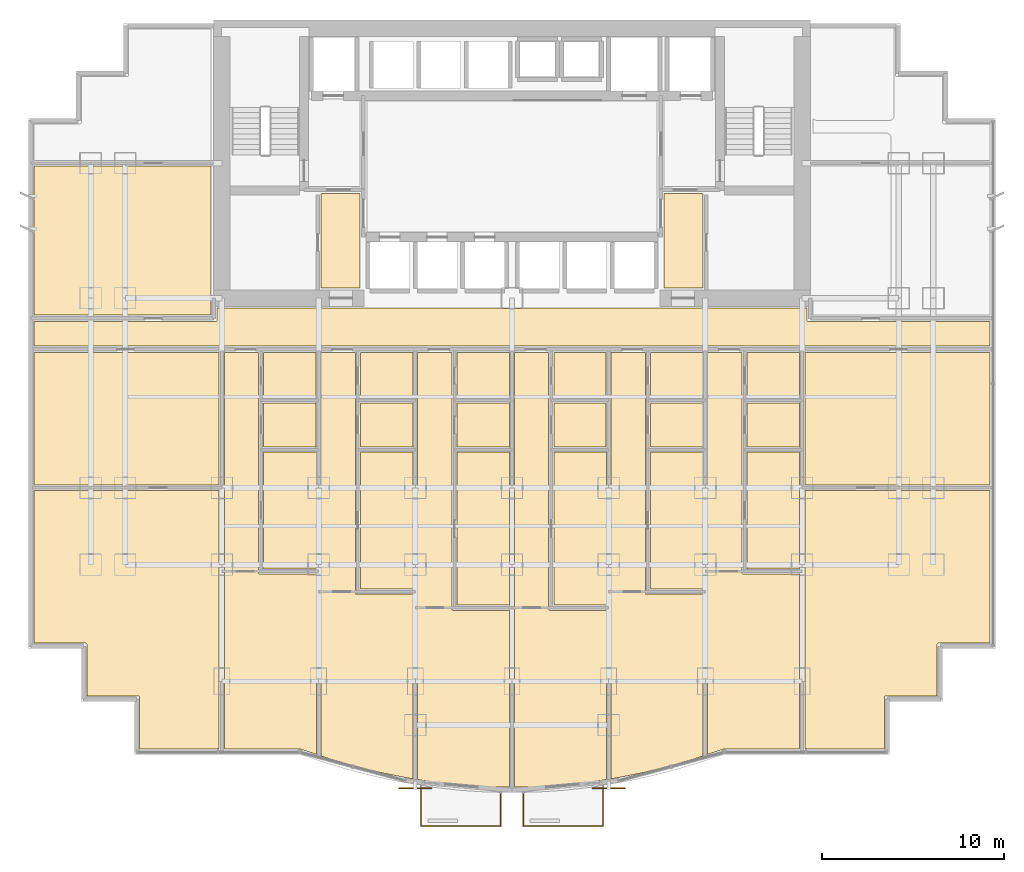
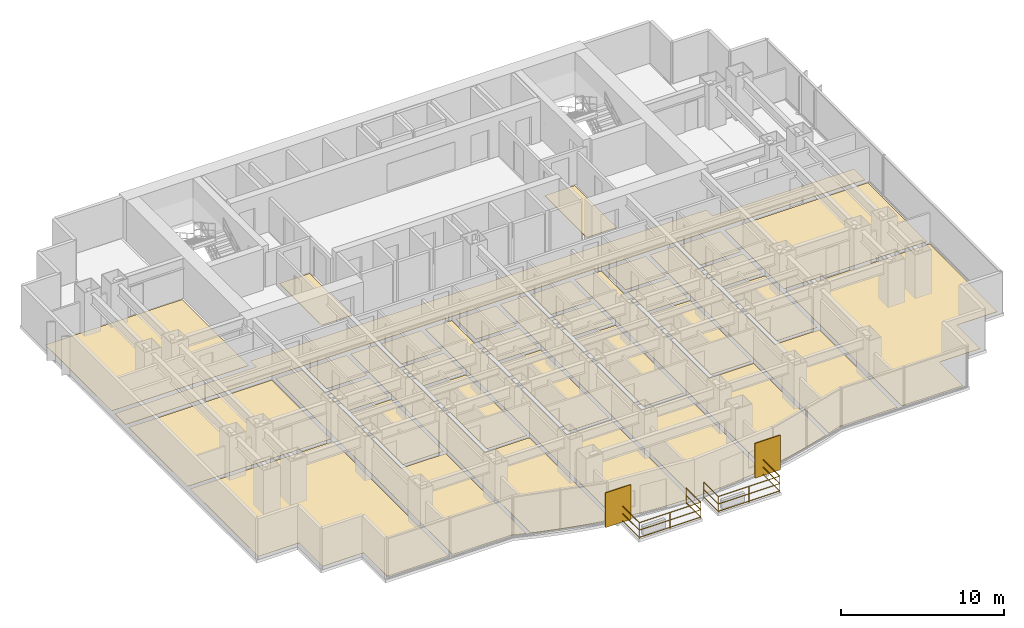
# One storey, part 11 of 12: 32 coverings, 2 railings, 2 shading devices.
"""IFC4 building model written with IfcOpenShell, lengths in metres."""

from ifc_helpers import new_model, si_unit, direction, frame, origin, origin_2d, place, context, subcontext, project, spatial, polyline, rectangle, circle, outline, extrude, source, transform, mapped, material, layer, layer_set, type_object, element, save


model = new_model("IFC4")

# Units and contexts
model_context = context("Model", 3, precision=1e-05, world=origin(), true_north=direction((0.0, 1.0)))
body_context = subcontext(model_context, "Body", "Model", "MODEL_VIEW")
ifc_project = project(units=[si_unit("LENGTHUNIT", "METRE"), si_unit("AREAUNIT", "SQUARE_METRE"), si_unit("VOLUMEUNIT", "CUBIC_METRE"), si_unit("PLANEANGLEUNIT", "RADIAN"), si_unit("MASSUNIT", "GRAM", prefix="KILO")], contexts=[model_context])

# Site, building, storey
site_placement = place(None, origin())
site = spatial("IfcSite", under=ifc_project, at=site_placement, CompositionType="ELEMENT")
building_placement = place(site_placement, origin())
building = spatial("IfcBuilding", under=site, at=building_placement, Name="Qianlan Lanfeng Residences", CompositionType="ELEMENT")
storey_placement = place(building_placement, frame((0.0, 0.0, 27.5)))
storey = spatial("IfcBuildingStorey", under=building, at=storey_placement, Name="L06", CompositionType="ELEMENT", Elevation=27.5)

# Coverings
ifc_material_1 = material(Name="Honed Taitung Granite Stone Flooring", Category="masonry")
ifc_layer_1 = layer(ifc_material_1, 0.030029296875)
ifc_layer_set_1 = layer_set([ifc_layer_1], Name="Honed Taitung Granite Stone Flooring")
covering_type_1 = type_object("IfcCoveringType", Name="FLR-STN-30", PredefinedType="FLOORING", material=ifc_layer_set_1)
covering_1_placement = place(storey_placement, origin())
element("IfcCovering", 1, at=covering_1_placement, inside=storey, type_object=covering_type_1, Name="L06 Residential Corridor Floor Finish", PredefinedType="FLOORING", context=body_context, shape_type="SweptSolid", body=[
    extrude(outline(polyline([(0.2900390625, 22.580078125), (52.7099609375, 22.580078125), (52.7099609375, 23.919921875), (42.739990234375, 23.919921875), (42.73291015625, 23.919921875), (42.72607421875, 23.9208984375), (42.719970703125, 23.923095703125), (42.712890625, 23.925048828125), (42.70703125, 23.927978515625), (42.700927734375, 23.931884765625), (42.696044921875, 23.93603515625), (42.69091796875, 23.94091796875), (42.68603515625, 23.946044921875), (42.681884765625, 23.950927734375), (42.677978515625, 23.95703125), (42.675048828125, 23.962890625), (42.673095703125, 23.969970703125), (42.6708984375, 23.97607421875), (42.669921875, 23.98291015625), (42.669921875, 23.989990234375), (42.669921875, 24.64990234375), (10.330078125, 24.64990234375), (10.330078125, 23.989990234375), (10.330078125, 23.98291015625), (10.3291015625, 23.97607421875), (10.326904296875, 23.969970703125), (10.324951171875, 23.962890625), (10.322021484375, 23.95703125), (10.318115234375, 23.950927734375), (10.31396484375, 23.946044921875), (10.30908203125, 23.94091796875), (10.303955078125, 23.93603515625), (10.299072265625, 23.931884765625), (10.29296875, 23.927978515625), (10.287109375, 23.925048828125), (10.280029296875, 23.923095703125), (10.27392578125, 23.9208984375), (10.26708984375, 23.919921875), (10.260009765625, 23.919921875), (0.2900390625, 23.919921875), (0.2900390625, 22.580078125)])), origin(), (0.0, 0.0, 1.0), 0.030029296875),
])
covering_2_placement = place(storey_placement, origin())
element("IfcCovering", 2, at=covering_2_placement, inside=storey, type_object=covering_type_1, Name="L06 Lift Lobby Floor Finish", PredefinedType="FLOORING", context=body_context, shape_type="SweptSolid", body=[
    extrude(outline(polyline([(16.030029296875, 25.760009765625), (18.169921875, 25.760009765625), (18.169921875, 30.949951171875), (16.030029296875, 30.949951171875), (16.030029296875, 25.760009765625)])), origin(), (0.0, 0.0, 1.0), 0.030029296875),
])
covering_3_placement = place(storey_placement, origin())
element("IfcCovering", 3, at=covering_3_placement, inside=storey, type_object=covering_type_1, Name="L06 Lift Lobby Floor Finish", PredefinedType="FLOORING", context=body_context, shape_type="SweptSolid", body=[
    extrude(outline(polyline([(34.830078125, 25.760009765625), (36.969970703125, 25.760009765625), (36.969970703125, 30.949951171875), (34.830078125, 30.949951171875), (34.830078125, 25.760009765625)])), origin(), (0.0, 0.0, 1.0), 0.030029296875),
])
ifc_material_2 = material(Name="Slip-Resistant Porcelain Tile Flooring")
ifc_layer_2 = layer(ifc_material_2, 0.02001953125)
ifc_layer_set_2 = layer_set([ifc_layer_2], Name="Slip-Resistant Porcelain Tile Flooring")
covering_type_2 = type_object("IfcCoveringType", Name="FLR-TIL-20", PredefinedType="FLOORING", material=ifc_layer_set_2)
covering_4_placement = place(storey_placement, origin())
element("IfcCovering", 4, at=covering_4_placement, inside=storey, type_object=covering_type_2, Name="L06 Kitchen Floor Finish", PredefinedType="FLOORING", context=body_context, shape_type="SweptSolid", body=[
    extrude(outline(polyline([(12.889892578125, 17.0400390625), (15.760009765625, 17.0400390625), (15.760009765625, 19.4599609375), (12.889892578125, 19.4599609375), (12.889892578125, 17.0400390625)])), origin(), (0.0, 0.0, 1.0), 0.02001953125),
])
covering_5_placement = place(storey_placement, origin())
element("IfcCovering", 5, at=covering_5_placement, inside=storey, type_object=covering_type_2, Name="L06 Bathroom Floor Finish", PredefinedType="FLOORING", context=body_context, shape_type="SweptSolid", body=[
    extrude(outline(polyline([(12.889892578125, 19.739990234375), (15.760009765625, 19.739990234375), (15.760009765625, 22.22998046875), (12.889892578125, 22.22998046875), (12.889892578125, 19.739990234375)])), origin(), (0.0, 0.0, 1.0), 0.02001953125),
])
covering_6_placement = place(storey_placement, origin())
element("IfcCovering", 6, at=covering_6_placement, inside=storey, type_object=covering_type_2, Name="L06 Kitchen Floor Finish", PredefinedType="FLOORING", context=body_context, shape_type="SweptSolid", body=[
    extrude(outline(polyline([(18.18994140625, 17.0400390625), (21.06005859375, 17.0400390625), (21.06005859375, 19.4599609375), (18.18994140625, 19.4599609375), (18.18994140625, 17.0400390625)])), origin(), (0.0, 0.0, 1.0), 0.02001953125),
])
covering_7_placement = place(storey_placement, origin())
element("IfcCovering", 7, at=covering_7_placement, inside=storey, type_object=covering_type_2, Name="L06 Bathroom Floor Finish", PredefinedType="FLOORING", context=body_context, shape_type="SweptSolid", body=[
    extrude(outline(polyline([(18.18994140625, 19.739990234375), (21.06005859375, 19.739990234375), (21.06005859375, 22.22998046875), (18.18994140625, 22.22998046875), (18.18994140625, 19.739990234375)])), origin(), (0.0, 0.0, 1.0), 0.02001953125),
])
covering_8_placement = place(storey_placement, origin())
element("IfcCovering", 8, at=covering_8_placement, inside=storey, type_object=covering_type_2, Name="L06 Kitchen Floor Finish", PredefinedType="FLOORING", context=body_context, shape_type="SweptSolid", body=[
    extrude(outline(polyline([(23.489990234375, 17.0400390625), (26.360107421875, 17.0400390625), (26.360107421875, 19.4599609375), (23.489990234375, 19.4599609375), (23.489990234375, 17.0400390625)])), origin(), (0.0, 0.0, 1.0), 0.02001953125),
])
covering_9_placement = place(storey_placement, origin())
element("IfcCovering", 9, at=covering_9_placement, inside=storey, type_object=covering_type_2, Name="L06 Bathroom Floor Finish", PredefinedType="FLOORING", context=body_context, shape_type="SweptSolid", body=[
    extrude(outline(polyline([(23.489990234375, 19.739990234375), (26.360107421875, 19.739990234375), (26.360107421875, 22.22998046875), (23.489990234375, 22.22998046875), (23.489990234375, 19.739990234375)])), origin(), (0.0, 0.0, 1.0), 0.02001953125),
])
covering_10_placement = place(storey_placement, origin())
element("IfcCovering", 10, at=covering_10_placement, inside=storey, type_object=covering_type_2, Name="L06 Kitchen Floor Finish", PredefinedType="FLOORING", context=body_context, shape_type="SweptSolid", body=[
    extrude(outline(polyline([(28.7900390625, 17.0400390625), (31.659912109375, 17.0400390625), (31.659912109375, 19.4599609375), (28.7900390625, 19.4599609375), (28.7900390625, 17.0400390625)])), origin(), (0.0, 0.0, 1.0), 0.02001953125),
])
covering_11_placement = place(storey_placement, origin())
element("IfcCovering", 11, at=covering_11_placement, inside=storey, type_object=covering_type_2, Name="L06 Bathroom Floor Finish", PredefinedType="FLOORING", context=body_context, shape_type="SweptSolid", body=[
    extrude(outline(polyline([(28.7900390625, 19.739990234375), (31.659912109375, 19.739990234375), (31.659912109375, 22.22998046875), (28.7900390625, 22.22998046875), (28.7900390625, 19.739990234375)])), origin(), (0.0, 0.0, 1.0), 0.02001953125),
])
covering_12_placement = place(storey_placement, origin())
element("IfcCovering", 12, at=covering_12_placement, inside=storey, type_object=covering_type_2, Name="L06 Kitchen Floor Finish", PredefinedType="FLOORING", context=body_context, shape_type="SweptSolid", body=[
    extrude(outline(polyline([(34.090087890625, 17.0400390625), (36.9599609375, 17.0400390625), (36.9599609375, 19.4599609375), (34.090087890625, 19.4599609375), (34.090087890625, 17.0400390625)])), origin(), (0.0, 0.0, 1.0), 0.02001953125),
])
covering_13_placement = place(storey_placement, origin())
element("IfcCovering", 13, at=covering_13_placement, inside=storey, type_object=covering_type_2, Name="L06 Bathroom Floor Finish", PredefinedType="FLOORING", context=body_context, shape_type="SweptSolid", body=[
    extrude(outline(polyline([(34.090087890625, 19.739990234375), (36.9599609375, 19.739990234375), (36.9599609375, 22.22998046875), (34.090087890625, 22.22998046875), (34.090087890625, 19.739990234375)])), origin(), (0.0, 0.0, 1.0), 0.02001953125),
])
covering_14_placement = place(storey_placement, origin())
element("IfcCovering", 14, at=covering_14_placement, inside=storey, type_object=covering_type_2, Name="L06 Kitchen Floor Finish", PredefinedType="FLOORING", context=body_context, shape_type="SweptSolid", body=[
    extrude(outline(polyline([(39.389892578125, 17.0400390625), (42.260009765625, 17.0400390625), (42.260009765625, 19.4599609375), (39.389892578125, 19.4599609375), (39.389892578125, 17.0400390625)])), origin(), (0.0, 0.0, 1.0), 0.02001953125),
])
covering_15_placement = place(storey_placement, origin())
element("IfcCovering", 15, at=covering_15_placement, inside=storey, type_object=covering_type_2, Name="L06 Bathroom Floor Finish", PredefinedType="FLOORING", context=body_context, shape_type="SweptSolid", body=[
    extrude(outline(polyline([(39.389892578125, 19.739990234375), (42.260009765625, 19.739990234375), (42.260009765625, 22.22998046875), (39.389892578125, 22.22998046875), (39.389892578125, 19.739990234375)])), origin(), (0.0, 0.0, 1.0), 0.02001953125),
])
ifc_material_3 = material(Name="Engineered Smoked Oak Timber Flooring", Category="wood")
ifc_layer_3 = layer(ifc_material_3, 0.02197265625)
ifc_layer_set_3 = layer_set([ifc_layer_3], Name="Engineered Smoked Oak Timber Flooring")
covering_type_3 = type_object("IfcCoveringType", Name="FLR-TIM-22", PredefinedType="FLOORING", material=ifc_layer_set_3)
covering_16_placement = place(storey_placement, origin())
element("IfcCovering", 16, at=covering_16_placement, inside=storey, type_object=covering_type_3, Name="L06 Studio Living Room Floor Finish", PredefinedType="FLOORING", context=body_context, shape_type="SweptSolid", body=[
    extrude(outline(polyline([(15.77001953125, 0.195068359375), (15.77001953125, 10.080078125), (12.679931640625, 10.080078125), (12.673095703125, 10.080078125), (12.666015625, 10.0810546875), (12.659912109375, 10.0830078125), (12.653076171875, 10.0849609375), (12.64697265625, 10.087890625), (12.64111328125, 10.092041015625), (12.635986328125, 10.095947265625), (12.631103515625, 10.10107421875), (12.6259765625, 10.10595703125), (12.6220703125, 10.111083984375), (12.617919921875, 10.116943359375), (12.614990234375, 10.123046875), (12.613037109375, 10.1298828125), (12.611083984375, 10.135986328125), (12.610107421875, 10.14306640625), (12.610107421875, 10.14990234375), (12.610107421875, 22.22998046875), (10.72998046875, 22.22998046875), (10.72998046875, 0.489990234375), (14.885986328125, 0.489990234375), (14.89404296875, 0.489990234375), (14.90087890625, 0.488037109375), (14.908935546875, 0.486083984375), (15.77001953125, 0.195068359375)])), origin(), (0.0, 0.0, 1.0), 0.02197265625),
])
covering_17_placement = place(storey_placement, origin())
element("IfcCovering", 17, at=covering_17_placement, inside=storey, type_object=covering_type_3, Name="L06 Villa Family Sitting Room Floor Finish", PredefinedType="FLOORING", context=body_context, shape_type="SweptSolid", body=[
    extrude(outline(polyline([(12.889892578125, 16.760009765625), (12.889892578125, 10.360107421875), (15.77001953125, 10.360107421875), (15.77001953125, 16.760009765625), (12.889892578125, 16.760009765625)])), origin(), (0.0, 0.0, 1.0), 0.02197265625),
])
covering_18_placement = place(storey_placement, origin())
element("IfcCovering", 18, at=covering_18_placement, inside=storey, type_object=covering_type_3, Name="L06 Studio Living Room Floor Finish", PredefinedType="FLOORING", context=body_context, shape_type="SweptSolid", body=[
    extrude(outline(polyline([(21.070068359375, -1.14404296875), (21.070068359375, 8.971923828125), (17.97998046875, 8.971923828125), (17.972900390625, 8.971923828125), (17.966064453125, 8.972900390625), (17.9599609375, 8.97509765625), (17.952880859375, 8.97705078125), (17.947021484375, 8.97998046875), (17.94091796875, 8.98388671875), (17.93603515625, 8.988037109375), (17.930908203125, 8.992919921875), (17.926025390625, 8.998046875), (17.922119140625, 9.0029296875), (17.91796875, 9.009033203125), (17.9150390625, 9.014892578125), (17.9130859375, 9.02197265625), (17.910888671875, 9.028076171875), (17.909912109375, 9.034912109375), (17.909912109375, 9.0419921875), (17.909912109375, 22.22998046875), (16.030029296875, 22.22998046875), (16.030029296875, 0.10693359375), (16.39306640625, -0.014892578125), (17.837890625, -0.43896484375), (19.282958984375, -0.797119140625), (20.72607421875, -1.090087890625), (21.070068359375, -1.14404296875)])), origin(), (0.0, 0.0, 1.0), 0.02197265625),
])
covering_19_placement = place(storey_placement, origin())
element("IfcCovering", 19, at=covering_19_placement, inside=storey, type_object=covering_type_3, Name="L06 Villa Family Sitting Room Floor Finish", PredefinedType="FLOORING", context=body_context, shape_type="SweptSolid", body=[
    extrude(outline(polyline([(18.18994140625, 16.760009765625), (18.18994140625, 9.251953125), (21.070068359375, 9.251953125), (21.070068359375, 16.760009765625), (18.18994140625, 16.760009765625)])), origin(), (0.0, 0.0, 1.0), 0.02197265625),
])
covering_20_placement = place(storey_placement, origin())
element("IfcCovering", 20, at=covering_20_placement, inside=storey, type_object=covering_type_3, Name="L06 Studio Living Room Floor Finish", PredefinedType="FLOORING", context=body_context, shape_type="SweptSolid", body=[
    extrude(outline(polyline([(26.3701171875, -1.60693359375), (26.3701171875, 8.093994140625), (23.280029296875, 8.093994140625), (23.27294921875, 8.093994140625), (23.26611328125, 8.094970703125), (23.260009765625, 8.096923828125), (23.2529296875, 8.09912109375), (23.2470703125, 8.10205078125), (23.240966796875, 8.10595703125), (23.236083984375, 8.110107421875), (23.23095703125, 8.114990234375), (23.22607421875, 8.1201171875), (23.221923828125, 8.125), (23.218017578125, 8.131103515625), (23.215087890625, 8.136962890625), (23.212890625, 8.14404296875), (23.2109375, 8.14990234375), (23.2099609375, 8.156982421875), (23.2099609375, 8.1640625), (23.2099609375, 22.22998046875), (21.330078125, 22.22998046875), (21.330078125, -1.18505859375), (22.169921875, -1.318115234375), (23.613037109375, -1.47998046875), (25.056884765625, -1.576904296875), (26.3701171875, -1.60693359375)])), origin(), (0.0, 0.0, 1.0), 0.02197265625),
])
covering_21_placement = place(storey_placement, origin())
element("IfcCovering", 21, at=covering_21_placement, inside=storey, type_object=covering_type_3, Name="L06 Villa Family Sitting Room Floor Finish", PredefinedType="FLOORING", context=body_context, shape_type="SweptSolid", body=[
    extrude(outline(polyline([(23.489990234375, 16.760009765625), (23.489990234375, 8.3740234375), (26.3701171875, 8.3740234375), (26.3701171875, 16.760009765625), (23.489990234375, 16.760009765625)])), origin(), (0.0, 0.0, 1.0), 0.02197265625),
])
covering_22_placement = place(storey_placement, origin())
element("IfcCovering", 22, at=covering_22_placement, inside=storey, type_object=covering_type_3, Name="L06 Studio Living Room Floor Finish", PredefinedType="FLOORING", context=body_context, shape_type="SweptSolid", body=[
    extrude(outline(polyline([(31.669921875, -1.18505859375), (31.669921875, 8.093994140625), (28.580078125, 8.093994140625), (28.572998046875, 8.093994140625), (28.56591796875, 8.094970703125), (28.56005859375, 8.096923828125), (28.552978515625, 8.09912109375), (28.547119140625, 8.10205078125), (28.541015625, 8.10595703125), (28.535888671875, 8.110107421875), (28.531005859375, 8.114990234375), (28.52587890625, 8.1201171875), (28.52197265625, 8.125), (28.51806640625, 8.131103515625), (28.514892578125, 8.136962890625), (28.512939453125, 8.14404296875), (28.510986328125, 8.14990234375), (28.510009765625, 8.156982421875), (28.510009765625, 8.1640625), (28.510009765625, 22.22998046875), (26.6298828125, 22.22998046875), (26.6298828125, -1.60693359375), (27.943115234375, -1.576904296875), (29.385986328125, -1.47998046875), (30.830078125, -1.318115234375), (31.669921875, -1.18505859375)])), origin(), (0.0, 0.0, 1.0), 0.02197265625),
])
covering_23_placement = place(storey_placement, origin())
element("IfcCovering", 23, at=covering_23_placement, inside=storey, type_object=covering_type_3, Name="L06 Villa Family Sitting Room Floor Finish", PredefinedType="FLOORING", context=body_context, shape_type="SweptSolid", body=[
    extrude(outline(polyline([(28.7900390625, 16.760009765625), (28.7900390625, 8.3740234375), (31.669921875, 8.3740234375), (31.669921875, 16.760009765625), (28.7900390625, 16.760009765625)])), origin(), (0.0, 0.0, 1.0), 0.02197265625),
])
covering_24_placement = place(storey_placement, origin())
element("IfcCovering", 24, at=covering_24_placement, inside=storey, type_object=covering_type_3, Name="L06 Studio Living Room Floor Finish", PredefinedType="FLOORING", context=body_context, shape_type="SweptSolid", body=[
    extrude(outline(polyline([(36.969970703125, 0.10693359375), (36.969970703125, 8.972900390625), (33.8798828125, 8.972900390625), (33.873046875, 8.972900390625), (33.865966796875, 8.97412109375), (33.860107421875, 8.97607421875), (33.85302734375, 8.97802734375), (33.846923828125, 8.98095703125), (33.841064453125, 8.985107421875), (33.8359375, 8.989013671875), (33.8310546875, 8.993896484375), (33.825927734375, 8.9990234375), (33.822021484375, 9.00390625), (33.818115234375, 9.010009765625), (33.81494140625, 9.01611328125), (33.81298828125, 9.02294921875), (33.81103515625, 9.029052734375), (33.81005859375, 9.035888671875), (33.81005859375, 9.04296875), (33.81005859375, 22.22998046875), (31.929931640625, 22.22998046875), (31.929931640625, -1.14404296875), (32.27392578125, -1.090087890625), (33.717041015625, -0.797119140625), (35.160888671875, -0.43896484375), (36.60693359375, -0.014892578125), (36.969970703125, 0.10693359375)])), origin(), (0.0, 0.0, 1.0), 0.02197265625),
])
covering_25_placement = place(storey_placement, origin())
element("IfcCovering", 25, at=covering_25_placement, inside=storey, type_object=covering_type_3, Name="L06 Villa Family Sitting Room Floor Finish", PredefinedType="FLOORING", context=body_context, shape_type="SweptSolid", body=[
    extrude(outline(polyline([(34.090087890625, 16.760009765625), (34.090087890625, 9.2529296875), (36.969970703125, 9.2529296875), (36.969970703125, 16.760009765625), (34.090087890625, 16.760009765625)])), origin(), (0.0, 0.0, 1.0), 0.02197265625),
])
covering_26_placement = place(storey_placement, origin())
element("IfcCovering", 26, at=covering_26_placement, inside=storey, type_object=covering_type_3, Name="L06 Studio Living Room Floor Finish", PredefinedType="FLOORING", context=body_context, shape_type="SweptSolid", body=[
    extrude(outline(polyline([(42.27001953125, 0.489990234375), (42.27001953125, 10.080078125), (39.179931640625, 10.080078125), (39.173095703125, 10.080078125), (39.166015625, 10.0810546875), (39.159912109375, 10.0830078125), (39.153076171875, 10.0849609375), (39.14697265625, 10.087890625), (39.14111328125, 10.092041015625), (39.135986328125, 10.095947265625), (39.131103515625, 10.10107421875), (39.1259765625, 10.10595703125), (39.1220703125, 10.111083984375), (39.117919921875, 10.116943359375), (39.114990234375, 10.123046875), (39.113037109375, 10.1298828125), (39.111083984375, 10.135986328125), (39.110107421875, 10.14306640625), (39.110107421875, 10.14990234375), (39.110107421875, 22.22998046875), (37.22998046875, 22.22998046875), (37.22998046875, 0.195068359375), (38.091064453125, 0.486083984375), (38.09912109375, 0.488037109375), (38.10595703125, 0.489990234375), (38.114013671875, 0.489990234375), (42.27001953125, 0.489990234375)])), origin(), (0.0, 0.0, 1.0), 0.02197265625),
])
covering_27_placement = place(storey_placement, origin())
element("IfcCovering", 27, at=covering_27_placement, inside=storey, type_object=covering_type_3, Name="L06 Villa Family Sitting Room Floor Finish", PredefinedType="FLOORING", context=body_context, shape_type="SweptSolid", body=[
    extrude(outline(polyline([(39.389892578125, 16.760009765625), (39.389892578125, 10.360107421875), (42.27001953125, 10.360107421875), (42.27001953125, 16.760009765625), (39.389892578125, 16.760009765625)])), origin(), (0.0, 0.0, 1.0), 0.02197265625),
])
covering_28_placement = place(storey_placement, origin())
element("IfcCovering", 28, at=covering_28_placement, inside=storey, type_object=covering_type_3, Name="L06 Sunroom Floor Finish", PredefinedType="FLOORING", context=body_context, shape_type="SweptSolid", body=[
    extrude(outline(polyline([(10.43994140625, 14.64990234375), (0.2900390625, 14.64990234375), (0.2900390625, 6.2900390625), (3.1201171875, 6.2900390625), (3.126953125, 6.2900390625), (3.134033203125, 6.2890625), (3.139892578125, 6.287109375), (3.14697265625, 6.284912109375), (3.153076171875, 6.281982421875), (3.158935546875, 6.278076171875), (3.1640625, 6.27392578125), (3.1689453125, 6.26904296875), (3.174072265625, 6.263916015625), (3.177978515625, 6.259033203125), (3.181884765625, 6.2529296875), (3.18505859375, 6.2470703125), (3.18701171875, 6.239990234375), (3.18896484375, 6.23388671875), (3.18994140625, 6.22705078125), (3.18994140625, 6.219970703125), (3.18994140625, 3.389892578125), (6.02001953125, 3.389892578125), (6.027099609375, 3.389892578125), (6.033935546875, 3.388916015625), (6.0400390625, 3.386962890625), (6.047119140625, 3.385009765625), (6.052978515625, 3.382080078125), (6.05908203125, 3.3779296875), (6.06396484375, 3.3740234375), (6.069091796875, 3.368896484375), (6.073974609375, 3.364013671875), (6.077880859375, 3.35888671875), (6.08203125, 3.35302734375), (6.0849609375, 3.346923828125), (6.0869140625, 3.340087890625), (6.089111328125, 3.333984375), (6.090087890625, 3.326904296875), (6.090087890625, 3.320068359375), (6.090087890625, 0.489990234375), (10.43994140625, 0.489990234375), (10.43994140625, 14.64990234375)])), origin(), (0.0, 0.0, 1.0), 0.02197265625),
])
covering_29_placement = place(storey_placement, origin())
element("IfcCovering", 29, at=covering_29_placement, inside=storey, type_object=covering_type_3, Name="L06 Family Sitting Room Floor Finish", PredefinedType="FLOORING", context=body_context, shape_type="SweptSolid", body=[
    extrude(outline(polyline([(10.43994140625, 22.22998046875), (0.2900390625, 22.22998046875), (0.2900390625, 14.949951171875), (10.43994140625, 14.949951171875), (10.43994140625, 22.22998046875)])), origin(), (0.0, 0.0, 1.0), 0.02197265625),
])
covering_30_placement = place(storey_placement, origin())
element("IfcCovering", 30, at=covering_30_placement, inside=storey, type_object=covering_type_3, Name="L06 Sunroom Floor Finish", PredefinedType="FLOORING", context=body_context, shape_type="SweptSolid", body=[
    extrude(outline(polyline([(52.7099609375, 14.64990234375), (42.56005859375, 14.64990234375), (42.56005859375, 0.489990234375), (46.909912109375, 0.489990234375), (46.909912109375, 3.320068359375), (46.909912109375, 3.326904296875), (46.910888671875, 3.333984375), (46.9130859375, 3.340087890625), (46.9150390625, 3.346923828125), (46.91796875, 3.35302734375), (46.922119140625, 3.35888671875), (46.926025390625, 3.364013671875), (46.930908203125, 3.368896484375), (46.93603515625, 3.3740234375), (46.94091796875, 3.3779296875), (46.947021484375, 3.382080078125), (46.952880859375, 3.385009765625), (46.9599609375, 3.386962890625), (46.966064453125, 3.388916015625), (46.972900390625, 3.389892578125), (46.97998046875, 3.389892578125), (49.81005859375, 3.389892578125), (49.81005859375, 6.219970703125), (49.81005859375, 6.22705078125), (49.81103515625, 6.23388671875), (49.81298828125, 6.239990234375), (49.81494140625, 6.2470703125), (49.818115234375, 6.2529296875), (49.822021484375, 6.259033203125), (49.825927734375, 6.263916015625), (49.8310546875, 6.26904296875), (49.8359375, 6.27392578125), (49.841064453125, 6.278076171875), (49.846923828125, 6.281982421875), (49.85302734375, 6.284912109375), (49.860107421875, 6.287109375), (49.865966796875, 6.2890625), (49.873046875, 6.2900390625), (49.8798828125, 6.2900390625), (52.7099609375, 6.2900390625), (52.7099609375, 14.64990234375)])), origin(), (0.0, 0.0, 1.0), 0.02197265625),
])
covering_31_placement = place(storey_placement, origin())
element("IfcCovering", 31, at=covering_31_placement, inside=storey, type_object=covering_type_3, Name="L06 Private Study Floor Finish", PredefinedType="FLOORING", context=body_context, shape_type="SweptSolid", body=[
    extrude(outline(polyline([(52.7099609375, 22.22998046875), (42.56005859375, 22.22998046875), (42.56005859375, 14.949951171875), (52.7099609375, 14.949951171875), (52.7099609375, 22.22998046875)])), origin(), (0.0, 0.0, 1.0), 0.02197265625),
])
covering_32_placement = place(storey_placement, origin())
element("IfcCovering", 32, at=covering_32_placement, inside=storey, type_object=covering_type_3, Name="L06 Co-Working Business Suite Floor Finish", PredefinedType="FLOORING", context=body_context, shape_type="SweptSolid", body=[
    extrude(outline(polyline([(10.0, 32.449951171875), (0.2900390625, 32.449951171875), (0.2900390625, 24.280029296875), (10.0, 24.280029296875), (10.0, 32.449951171875)])), origin(), (0.0, 0.0, 1.0), 0.02197265625),
])

# Railings
ifc_material_4 = material(Name="Anodised Bronze Aluminium and Laminated Glass Guard Balustrade", Category="aluminium")
railing_type = type_object("IfcRailingType", Name="GR-EXT-1220", PredefinedType="BALUSTRADE", material=ifc_material_4)
railing_1_placement = place(storey_placement, frame((25.8798828125, -1.9560546875, 0.0)))
element("IfcRailing", 33, at=railing_1_placement, inside=storey, type_object=railing_type, Name="L06 Terrace Safety Guard GR-L06-SB-W", PredefinedType="BALUSTRADE", context=body_context, shape_type="SweptSolid", body=[
    extrude(circle(Radius=0.02490234375, at=origin_2d()), frame((0.0, 0.0, 0.0849609375), z_axis=(0.0, -1.0, 0.0), x_axis=(1.0, 0.0, 0.0)), (0.0, 0.0, 1.0), 1.77392578125),
    extrude(circle(Radius=0.02490234375, at=origin_2d()), frame((0.0, 0.0, 0.63427734375), z_axis=(0.0, -1.0, 0.0), x_axis=(1.0, 0.0, 0.0)), (0.0, 0.0, 1.0), 1.77392578125),
    extrude(circle(Radius=0.02490234375, at=origin_2d()), frame((0.0, 0.0, 1.19482421875), z_axis=(0.0, -1.0, 0.0), x_axis=(1.0, 0.0, 0.0)), (0.0, 0.0, 1.0), 1.77392578125),
    extrude(circle(Radius=0.02490234375, at=origin_2d()), frame((0.0, -1.77392578125, 0.0849609375), z_axis=(-1.0, 0.0, 0.0), x_axis=(0.0, -1.0, 0.0)), (0.0, 0.0, 1.0), 4.35986328125),
    extrude(circle(Radius=0.02490234375, at=origin_2d()), frame((0.0, -1.77392578125, 0.63427734375), z_axis=(-1.0, 0.0, 0.0), x_axis=(0.0, -1.0, 0.0)), (0.0, 0.0, 1.0), 4.35986328125),
    extrude(circle(Radius=0.02490234375, at=origin_2d()), frame((0.0, -1.77392578125, 1.19482421875), z_axis=(-1.0, 0.0, 0.0), x_axis=(0.0, -1.0, 0.0)), (0.0, 0.0, 1.0), 4.35986328125),
    extrude(circle(Radius=0.02490234375, at=origin_2d()), frame((-4.35986328125, -1.77392578125, 0.0849609375), z_axis=(0.0, 1.0, 0.0), x_axis=(-1.0, 0.0, 0.0)), (0.0, 0.0, 1.0), 2.15087890625),
    extrude(circle(Radius=0.02490234375, at=origin_2d()), frame((-4.35986328125, -1.77392578125, 0.63427734375), z_axis=(0.0, 1.0, 0.0), x_axis=(-1.0, 0.0, 0.0)), (0.0, 0.0, 1.0), 2.15087890625),
    extrude(circle(Radius=0.02490234375, at=origin_2d()), frame((-4.35986328125, -1.77392578125, 1.19482421875), z_axis=(0.0, 1.0, 0.0), x_axis=(-1.0, 0.0, 0.0)), (0.0, 0.0, 1.0), 2.15087890625),
    extrude(circle(Radius=0.02099609375, at=origin_2d()), origin(), (0.0, 0.0, 1.0), 1.169921875),
    extrude(circle(Radius=0.02099609375, at=origin_2d()), frame((0.0, -1.77392578125, 0.0)), (0.0, 0.0, 1.0), 1.169921875),
    extrude(circle(Radius=0.02099609375, at=origin_2d()), frame((-2.179931640625, -1.77392578125, 0.0)), (0.0, 0.0, 1.0), 1.169921875),
    extrude(circle(Radius=0.02099609375, at=origin_2d()), frame((-4.35986328125, -1.77392578125, 0.0)), (0.0, 0.0, 1.0), 1.169921875),
    extrude(circle(Radius=0.02099609375, at=origin_2d()), frame((-4.35986328125, 0.376953125, 0.0)), (0.0, 0.0, 1.0), 1.169921875),
])
railing_2_placement = place(storey_placement, frame((31.47998046875, -1.5791015625, 0.0)))
element("IfcRailing", 34, at=railing_2_placement, inside=storey, type_object=railing_type, Name="L06 Terrace Safety Guard GR-L06-SB-E", PredefinedType="BALUSTRADE", context=body_context, shape_type="SweptSolid", body=[
    extrude(circle(Radius=0.02490234375, at=origin_2d()), frame((0.0, 0.0, 0.0849609375), z_axis=(0.0, -1.0, 0.0), x_axis=(1.0, 0.0, 0.0)), (0.0, 0.0, 1.0), 2.15087890625),
    extrude(circle(Radius=0.02490234375, at=origin_2d()), frame((0.0, 0.0, 0.63427734375), z_axis=(0.0, -1.0, 0.0), x_axis=(1.0, 0.0, 0.0)), (0.0, 0.0, 1.0), 2.15087890625),
    extrude(circle(Radius=0.02490234375, at=origin_2d()), frame((0.0, 0.0, 1.19482421875), z_axis=(0.0, -1.0, 0.0), x_axis=(1.0, 0.0, 0.0)), (0.0, 0.0, 1.0), 2.15087890625),
    extrude(circle(Radius=0.02490234375, at=origin_2d()), frame((0.0, -2.15087890625, 0.0849609375), z_axis=(-1.0, 0.0, 0.0), x_axis=(0.0, -1.0, 0.0)), (0.0, 0.0, 1.0), 4.35986328125),
    extrude(circle(Radius=0.02490234375, at=origin_2d()), frame((0.0, -2.15087890625, 0.63427734375), z_axis=(-1.0, 0.0, 0.0), x_axis=(0.0, -1.0, 0.0)), (0.0, 0.0, 1.0), 4.35986328125),
    extrude(circle(Radius=0.02490234375, at=origin_2d()), frame((0.0, -2.15087890625, 1.19482421875), z_axis=(-1.0, 0.0, 0.0), x_axis=(0.0, -1.0, 0.0)), (0.0, 0.0, 1.0), 4.35986328125),
    extrude(circle(Radius=0.02490234375, at=origin_2d()), frame((-4.35986328125, -2.15087890625, 0.0849609375), z_axis=(0.0, 1.0, 0.0), x_axis=(-1.0, 0.0, 0.0)), (0.0, 0.0, 1.0), 1.77392578125),
    extrude(circle(Radius=0.02490234375, at=origin_2d()), frame((-4.35986328125, -2.15087890625, 0.63427734375), z_axis=(0.0, 1.0, 0.0), x_axis=(-1.0, 0.0, 0.0)), (0.0, 0.0, 1.0), 1.77392578125),
    extrude(circle(Radius=0.02490234375, at=origin_2d()), frame((-4.35986328125, -2.15087890625, 1.19482421875), z_axis=(0.0, 1.0, 0.0), x_axis=(-1.0, 0.0, 0.0)), (0.0, 0.0, 1.0), 1.77392578125),
    extrude(circle(Radius=0.02099609375, at=origin_2d()), origin(), (0.0, 0.0, 1.0), 1.169921875),
    extrude(circle(Radius=0.02099609375, at=origin_2d()), frame((0.0, -2.15087890625, 0.0)), (0.0, 0.0, 1.0), 1.169921875),
    extrude(circle(Radius=0.02099609375, at=origin_2d()), frame((-2.179931640625, -2.15087890625, 0.0)), (0.0, 0.0, 1.0), 1.169921875),
    extrude(circle(Radius=0.02099609375, at=origin_2d()), frame((-4.35986328125, -2.15087890625, 0.0)), (0.0, 0.0, 1.0), 1.169921875),
    extrude(circle(Radius=0.02099609375, at=origin_2d()), frame((-4.35986328125, -0.376953125, 0.0)), (0.0, 0.0, 1.0), 1.169921875),
])

# Shading devices
ifc_material_5 = material(Name="Perforated Bronze Aluminium Solar Screen", Category="aluminium")
shading_device_type = type_object("IfcShadingDeviceType", Name="SCR-BRZ-1800", PredefinedType="JALOUSIE", material=ifc_material_5)
shared_shape = source(origin(), body_context, "Body", "SweptSolid", [
    extrude(rectangle(XDim=1.800048828125, YDim=0.06005859375, at=origin_2d()), origin(), (0.0, 0.0, 1.0), 2.60009765625),
])
for number, where, z_axis, x_axis, name in (
    (35, (21.199951171875, -1.659912109375, 0.0), (0.0, 0.0, 1.0), (1.0, 0.0, 0.0), "L06 Perforated Bronze Solar Screen 1"),
    (36, (31.800048828125, -1.659912109375, 0.0), (0.0, 0.0, 1.0), (1.0, 0.0, 0.0), "L06 Perforated Bronze Solar Screen 2"),
):
    element("IfcShadingDevice", number, at=place(storey_placement, frame(where, z_axis=z_axis, x_axis=x_axis)), inside=storey, type_object=shading_device_type, Name=name, PredefinedType="JALOUSIE", context=body_context, shape_type="MappedRepresentation", body=[
        mapped(shared_shape, transform((0.0, 0.0, 0.0), scale=1.0)),
    ])

save(model, "model.ifc")
